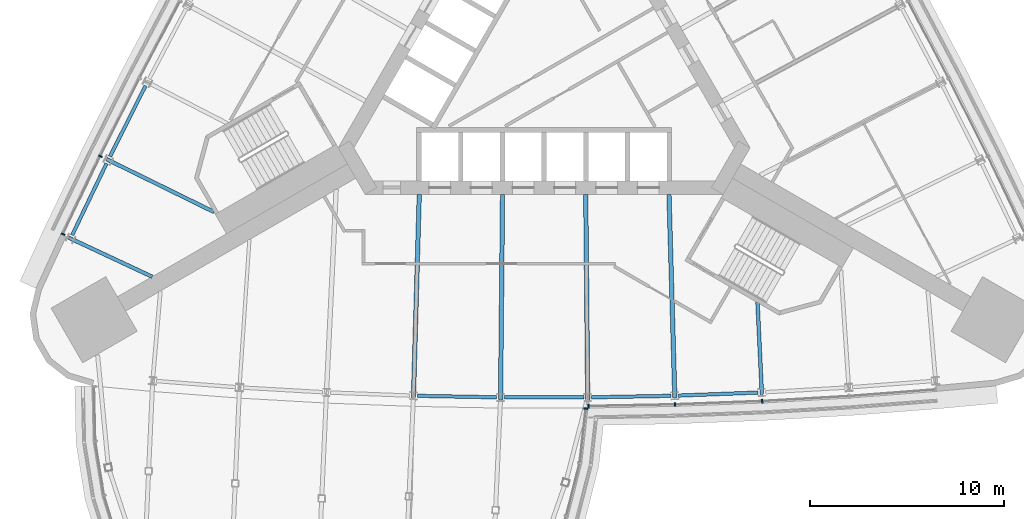
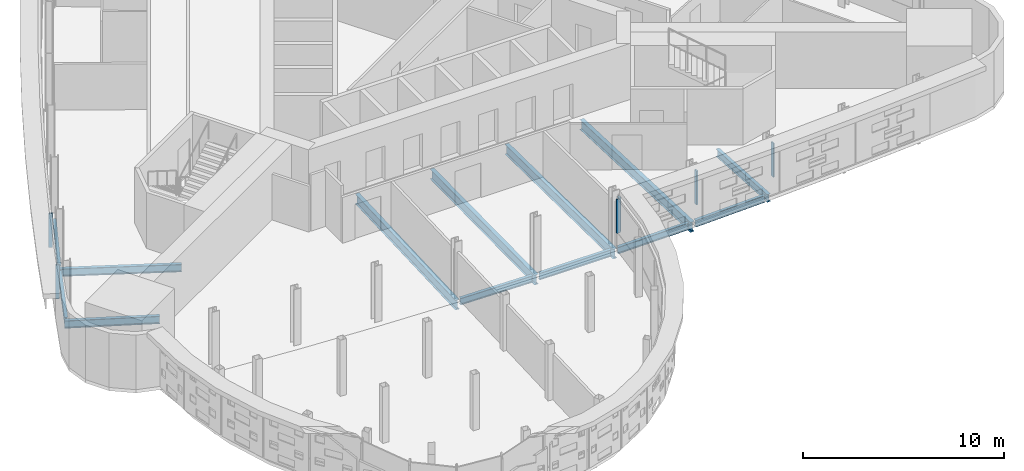
# One storey, part 4 of 16: 13 beams, 6 members, 3 elements without a shape of their own.
"""IFC4 building model written with IfcOpenShell, lengths in metres."""

from ifc_helpers import new_model, si_unit, direction, frame, origin, origin_2d, place, context, subcontext, project, spatial, rectangle, i_section, extrude, material, material_profile, profile_set, type_object, element, aggregate, save


model = new_model("IFC4")

# Units and contexts
model_context = context("Model", 3, precision=1e-05, world=origin(), true_north=direction((0.0, 1.0)))
body_context = subcontext(model_context, "Body", "Model", "MODEL_VIEW")
ifc_project = project(units=[si_unit("LENGTHUNIT", "METRE"), si_unit("AREAUNIT", "SQUARE_METRE"), si_unit("VOLUMEUNIT", "CUBIC_METRE"), si_unit("PLANEANGLEUNIT", "RADIAN"), si_unit("MASSUNIT", "GRAM", prefix="KILO")], contexts=[model_context])

# Site, building, storey
site_placement = place(None, origin())
site = spatial("IfcSite", under=ifc_project, at=site_placement, CompositionType="ELEMENT")
building_placement = place(site_placement, origin())
building = spatial("IfcBuilding", under=site, at=building_placement, Name="Noor Cloister Tower", CompositionType="ELEMENT")
storey_placement = place(building_placement, frame((0.0, 0.0, 61.800048828125)))
storey = spatial("IfcBuildingStorey", under=building, at=storey_placement, Name="L15", CompositionType="ELEMENT", Elevation=61.800048828125)

# Curtain wall, members
ifc_material_1 = material(Name="Aluminium 6063-T6 anodised", Category="aluminium")
curtain_wall_type_1 = type_object("IfcCurtainWallType", Name="Ribbon curtain wall, lower tower CW1", PredefinedType="NOTDEFINED", material=ifc_material_1)
curtain_wall_1_placement = place(storey_placement, origin())
curtain_wall_1 = element("IfcCurtainWall", 1, at=curtain_wall_1_placement, inside=storey, type_object=curtain_wall_type_1, Name="CW1 L15 NW run 1", PredefinedType="NOTDEFINED")
ifc_material_2 = material(Name="Aluminium 6063-T6 anodised", Category="aluminium")
ifc_material_profile_1 = material_profile(ifc_material_2, rectangle(XDim=0.199951171875, YDim=0.080078125, at=origin_2d()), Name="200 x 80 mullion")
ifc_profile_set_1 = profile_set([ifc_material_profile_1], Name="Aluminium 6063-T6 anodised")
member_type_1 = type_object("IfcMemberType", Name="Mullion CW1 80 x 200", PredefinedType="MULLION", material=ifc_profile_set_1)
member_1_placement = place(storey_placement, frame((-22.873046875, -4.95947265625, 1.099853515625), z_axis=(0.0, 0.0, 1.0), x_axis=(0.897485415841, -0.441044134246, 0.0)))
member_1 = element("IfcMember", 2, at=member_1_placement, type_object=member_type_1, Name="CW1 mullion 9", PredefinedType="MULLION", context=body_context, shape_type="SweptSolid", body=[
    extrude(rectangle(XDim=0.199951171875, YDim=0.080078125, at=origin_2d()), origin(), (0.0, 0.0, 1.0), 2.050048828125),
])
member_2_placement = place(storey_placement, frame((-24.80126953125, -8.97998046875, 1.099853515625), z_axis=(0.0, 0.0, 1.0), x_axis=(0.9016555994, -0.432454830094, 0.0)))
member_2 = element("IfcMember", 3, at=member_2_placement, type_object=member_type_1, Name="CW1 mullion 10", PredefinedType="MULLION", context=body_context, shape_type="SweptSolid", body=[
    extrude(rectangle(XDim=0.199951171875, YDim=0.080078125, at=origin_2d()), origin(), (0.0, 0.0, 1.0), 2.050048828125),
])
aggregate(curtain_wall_1, [member_1, member_2])

curtain_wall_2_placement = place(storey_placement, origin())
curtain_wall_2 = element("IfcCurtainWall", 4, at=curtain_wall_2_placement, inside=storey, type_object=curtain_wall_type_1, Name="CW1 L15 S run 3", PredefinedType="NOTDEFINED")
member_3_placement = place(storey_placement, frame((2.2880859375, -17.84326171875, 1.099853515625), z_axis=(0.0, 0.0, 1.0), x_axis=(-0.019095132503, 0.999817671335, 0.0)))
member_3 = element("IfcMember", 5, at=member_3_placement, type_object=member_type_1, Name="CW1 mullion 1", PredefinedType="MULLION", context=body_context, shape_type="SweptSolid", body=[
    extrude(rectangle(XDim=0.199951171875, YDim=0.080078125, at=origin_2d()), origin(), (0.0, 0.0, 1.0), 2.050048828125),
])
member_4_placement = place(storey_placement, frame((6.74609375, -17.75830078125, 1.099853515625), z_axis=(0.0, 0.0, 1.0), x_axis=(-0.028640531415, 0.999589775838, 0.0)))
member_4 = element("IfcMember", 6, at=member_4_placement, type_object=member_type_1, Name="CW1 mullion 2", PredefinedType="MULLION", context=body_context, shape_type="SweptSolid", body=[
    extrude(rectangle(XDim=0.199951171875, YDim=0.080078125, at=origin_2d()), origin(), (0.0, 0.0, 1.0), 2.050048828125),
])
member_5_placement = place(storey_placement, frame((11.240966796875, -17.58642578125, 1.099853515625), z_axis=(0.0, 0.0, 1.0), x_axis=(-0.047722608643, 0.998860627227, 0.0)))
member_5 = element("IfcMember", 7, at=member_5_placement, type_object=member_type_1, Name="CW1 mullion 3", PredefinedType="MULLION", context=body_context, shape_type="SweptSolid", body=[
    extrude(rectangle(XDim=0.199951171875, YDim=0.080078125, at=origin_2d()), origin(), (0.0, 0.0, 1.0), 2.050048828125),
])
aggregate(curtain_wall_2, [member_3, member_4, member_5])

# Curtain wall, member
ifc_material_3 = material(Name="Aluminium 6063-T6 anodised", Category="aluminium")
curtain_wall_type_2 = type_object("IfcCurtainWallType", Name="Sky bar curtain wall, lower bars CW2", PredefinedType="NOTDEFINED", material=ifc_material_3)
curtain_wall_3_placement = place(storey_placement, origin())
curtain_wall_3 = element("IfcCurtainWall", 8, at=curtain_wall_3_placement, inside=storey, type_object=curtain_wall_type_2, Name="CW2 L15 S sky bar run 2", PredefinedType="NOTDEFINED")
ifc_material_4 = material(Name="Aluminium 6063-T6 anodised", Category="aluminium")
ifc_material_profile_2 = material_profile(ifc_material_4, rectangle(XDim=0.199951171875, YDim=0.080078125, at=origin_2d()), Name="200 x 80 mullion")
ifc_profile_set_2 = profile_set([ifc_material_profile_2], Name="Aluminium 6063-T6 anodised")
member_type_2 = type_object("IfcMemberType", Name="Mullion CW2 80 x 200", PredefinedType="MULLION", material=ifc_profile_set_2)
member_6_placement = place(storey_placement, frame((2.14599609375, -17.97265625, 1.099853515625), z_axis=(0.0, 0.0, 1.0), x_axis=(-0.993686005796, 0.112196799802, 0.0)))
member_6 = element("IfcMember", 9, at=member_6_placement, type_object=member_type_2, Name="CW2 mullion 19", PredefinedType="MULLION", context=body_context, shape_type="SweptSolid", body=[
    extrude(rectangle(XDim=0.199951171875, YDim=0.080078125, at=origin_2d()), origin(), (0.0, 0.0, 1.0), 2.050048828125),
])
aggregate(curtain_wall_3, [member_6])

# Beams
ifc_material_5 = material(Name="Steel ASTM A992 Gr 50", Category="steel")
ifc_material_profile_3 = material_profile(ifc_material_5, i_section(OverallWidth=0.19091796875, OverallDepth=0.45703125, WebThickness=0.009033203125, FlangeThickness=0.014404296875, FilletRadius=0.01025390625, at=origin_2d()), Name="W460x74")
ifc_profile_set_3 = profile_set([ifc_material_profile_3], Name="Steel ASTM A992 Gr 50")
beam_type_1 = type_object("IfcBeamType", Name="Radial beam W460x74", PredefinedType="BEAM", material=ifc_profile_set_3)
beam_1_placement = place(storey_placement, frame((-22.55615234375, -5.115234375, -0.428466796875), z_axis=(0.897476302169, -0.441062679271, 0.0), x_axis=(0.441062679271, 0.897476302169, 0.0)))
element("IfcBeam", 10, at=beam_1_placement, inside=storey, type_object=beam_type_1, Name="Radial beam NW 09 L15", PredefinedType="BEAM", context=body_context, shape_type="SweptSolid", body=[
    extrude(i_section(OverallWidth=0.19091796875, OverallDepth=0.45703125, WebThickness=0.009033203125, FlangeThickness=0.014404296875, FilletRadius=0.01025390625, at=origin_2d()), origin(), (0.0, 0.0, 1.0), 6.170654296875),
])
beam_2_placement = place(storey_placement, frame((-24.49853515625, -9.164794921875, -0.428466796875), z_axis=(0.905732710041, -0.423849334035, 0.0), x_axis=(0.423849334035, 0.905732710041, 0.0)))
element("IfcBeam", 11, at=beam_2_placement, inside=storey, type_object=beam_type_1, Name="Radial beam NW 10 L15", PredefinedType="BEAM", context=body_context, shape_type="SweptSolid", body=[
    extrude(i_section(OverallWidth=0.19091796875, OverallDepth=0.45703125, WebThickness=0.009033203125, FlangeThickness=0.014404296875, FilletRadius=0.01025390625, at=origin_2d()), origin(), (0.0, 0.0, 1.0), 4.7412109375),
])
beam_3_placement = place(storey_placement, frame((11.22412109375, -17.23388671875, -0.428466796875), z_axis=(-0.047709887881, 0.998861234906, 0.0), x_axis=(-0.998861234906, -0.047709887881, 0.0)))
element("IfcBeam", 12, at=beam_3_placement, inside=storey, type_object=beam_type_1, Name="Radial beam S 08 L15", PredefinedType="BEAM", context=body_context, shape_type="SweptSolid", body=[
    extrude(i_section(OverallWidth=0.19091796875, OverallDepth=0.45703125, WebThickness=0.009033203125, FlangeThickness=0.014404296875, FilletRadius=0.01025390625, at=origin_2d()), origin(), (0.0, 0.0, 1.0), 4.728271484375),
])
ifc_material_6 = material(Name="Steel ASTM A992 Gr 50", Category="steel")
ifc_material_profile_4 = material_profile(ifc_material_6, i_section(OverallWidth=0.22802734375, OverallDepth=0.60205078125, WebThickness=0.010498046875, FlangeThickness=0.014892578125, FilletRadius=0.0126953125, at=origin_2d()), Name="W610x101")
ifc_profile_set_4 = profile_set([ifc_material_profile_4], Name="Steel ASTM A992 Gr 50")
beam_type_2 = type_object("IfcBeamType", Name="Radial beam W610x101", PredefinedType="BEAM", material=ifc_profile_set_4)
beam_4_placement = place(storey_placement, frame((-6.736083984375, -17.4052734375, -0.5009765625), z_axis=(0.028650209329, 0.999589498497, 0.0), x_axis=(-0.999589498497, 0.028650209329, 0.0)))
element("IfcBeam", 13, at=beam_4_placement, inside=storey, type_object=beam_type_2, Name="Radial beam S 04 L15", PredefinedType="BEAM", context=body_context, shape_type="SweptSolid", body=[
    extrude(i_section(OverallWidth=0.22802734375, OverallDepth=0.60205078125, WebThickness=0.010498046875, FlangeThickness=0.014892578125, FilletRadius=0.0126953125, at=origin_2d()), origin(), (0.0, 0.0, 1.0), 10.4814453125),
])
for number, where, z_axis, x_axis, name in (
    (14, (-2.24560546875, -17.4912109375, -0.5009765625), (0.009545166766, 0.999954443858, 0.0), (-0.999954443858, 0.009545166766, 0.0), "Radial beam S 05 L15"),
    (15, (2.24560546875, -17.4912109375, -0.5009765625), (-0.009545166766, 0.999954443858, 0.0), (-0.999954443858, -0.009545166766, 0.0), "Radial beam S 06 L15"),
):
    element("IfcBeam", number, at=place(storey_placement, frame(where, z_axis=z_axis, x_axis=x_axis)), inside=storey, type_object=beam_type_2, Name=name, PredefinedType="BEAM", context=body_context, shape_type="SweptSolid", body=[
        extrude(i_section(OverallWidth=0.22802734375, OverallDepth=0.60205078125, WebThickness=0.010498046875, FlangeThickness=0.014892578125, FilletRadius=0.0126953125, at=origin_2d()), origin(), (0.0, 0.0, 1.0), 10.5634765625),
    ])
beam_5_placement = place(storey_placement, frame((6.736083984375, -17.4052734375, -0.5009765625), z_axis=(-0.028650209329, 0.999589498497, 0.0), x_axis=(-0.999589498497, -0.028650209329, 0.0)))
element("IfcBeam", 16, at=beam_5_placement, inside=storey, type_object=beam_type_2, Name="Radial beam S 07 L15", PredefinedType="BEAM", context=body_context, shape_type="SweptSolid", body=[
    extrude(i_section(OverallWidth=0.22802734375, OverallDepth=0.60205078125, WebThickness=0.010498046875, FlangeThickness=0.014892578125, FilletRadius=0.0126953125, at=origin_2d()), origin(), (0.0, 0.0, 1.0), 10.4814453125),
])
ifc_material_7 = material(Name="Steel ASTM A992 Gr 50", Category="steel")
ifc_material_profile_5 = material_profile(ifc_material_7, i_section(OverallWidth=0.177978515625, OverallDepth=0.406005859375, WebThickness=0.0078125, FlangeThickness=0.0126953125, FilletRadius=0.01025390625, at=origin_2d()), Name="W410x60")
ifc_profile_set_5 = profile_set([ifc_material_profile_5], Name="Steel ASTM A992 Gr 50")
beam_type_3 = type_object("IfcBeamType", Name="Spandrel beam W410x60", PredefinedType="SPANDREL", material=ifc_profile_set_5)
beam_6_placement = place(storey_placement, frame((-20.54150390625, -1.328369140625, -0.403076171875), z_axis=(-0.449626227314, -0.893216802188, 0.0), x_axis=(0.893216802188, -0.449626227314, 0.0)))
element("IfcBeam", 17, at=beam_6_placement, inside=storey, type_object=beam_type_3, Name="Spandrel beam NW 08 L15", PredefinedType="SPANDREL", context=body_context, shape_type="SweptSolid", body=[
    extrude(i_section(OverallWidth=0.177978515625, OverallDepth=0.406005859375, WebThickness=0.0078125, FlangeThickness=0.0126953125, FilletRadius=0.01025390625, at=origin_2d()), origin(), (0.0, 0.0, 1.0), 4.08544921875),
])
for number, where, z_axis, x_axis, name in (
    (18, (-22.556640625, -5.340087890625, -0.403076171875), (-0.432427965781, -0.901668483652, 0.0), (0.901668483652, -0.432427965781, 0.0), "Spandrel beam NW 09 L15"),
    (19, (-6.53125, -17.312255859375, -0.403076171875), (0.99981826395, -0.019064078075, 0.0), (0.019064078075, 0.99981826395, 0.0), "Spandrel beam S 04 L15"),
):
    element("IfcBeam", number, at=place(storey_placement, frame(where, z_axis=z_axis, x_axis=x_axis)), inside=storey, type_object=beam_type_3, Name=name, PredefinedType="SPANDREL", context=body_context, shape_type="SweptSolid", body=[
        extrude(i_section(OverallWidth=0.177978515625, OverallDepth=0.406005859375, WebThickness=0.0078125, FlangeThickness=0.0126953125, FilletRadius=0.01025390625, at=origin_2d()), origin(), (0.0, 0.0, 1.0), 4.085205078125),
    ])
beam_7_placement = place(storey_placement, frame((-2.042724609375, -17.39404296875, -0.403076171875), z_axis=(1.0, 0.0, 0.0), x_axis=(0.0, 1.0, 0.0)))
element("IfcBeam", 20, at=beam_7_placement, inside=storey, type_object=beam_type_3, Name="Spandrel beam S 05 L15", PredefinedType="SPANDREL", context=body_context, shape_type="SweptSolid", body=[
    extrude(i_section(OverallWidth=0.177978515625, OverallDepth=0.406005859375, WebThickness=0.0078125, FlangeThickness=0.0126953125, FilletRadius=0.01025390625, at=origin_2d()), origin(), (0.0, 0.0, 1.0), 4.08544921875),
])
beam_8_placement = place(storey_placement, frame((2.44677734375, -17.39013671875, -0.403076171875), z_axis=(0.99981826395, 0.019064078075, 0.0), x_axis=(-0.019064078075, 0.99981826395, 0.0)))
element("IfcBeam", 21, at=beam_8_placement, inside=storey, type_object=beam_type_3, Name="Spandrel beam S 06 L15", PredefinedType="SPANDREL", context=body_context, shape_type="SweptSolid", body=[
    extrude(i_section(OverallWidth=0.177978515625, OverallDepth=0.406005859375, WebThickness=0.0078125, FlangeThickness=0.0126953125, FilletRadius=0.01025390625, at=origin_2d()), origin(), (0.0, 0.0, 1.0), 4.085205078125),
])
beam_9_placement = place(storey_placement, frame((6.93505859375, -17.30078125, -0.403076171875), z_axis=(0.999270676901, 0.03818526268, 0.0), x_axis=(-0.03818526268, 0.999270676901, 0.0)))
element("IfcBeam", 22, at=beam_9_placement, inside=storey, type_object=beam_type_3, Name="Spandrel beam S 07 L15", PredefinedType="SPANDREL", context=body_context, shape_type="SweptSolid", body=[
    extrude(i_section(OverallWidth=0.177978515625, OverallDepth=0.406005859375, WebThickness=0.0078125, FlangeThickness=0.0126953125, FilletRadius=0.01025390625, at=origin_2d()), origin(), (0.0, 0.0, 1.0), 4.08544921875),
])

save(model, "model.ifc")
